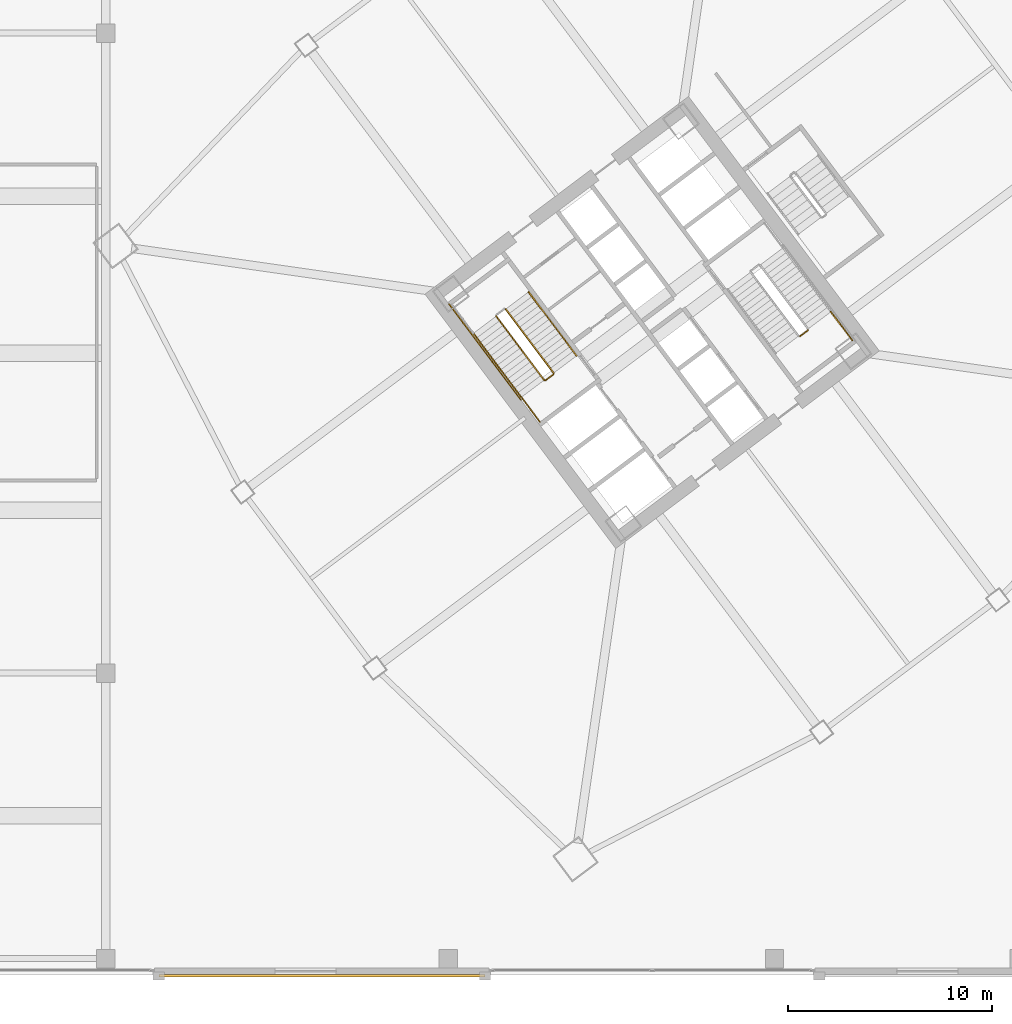
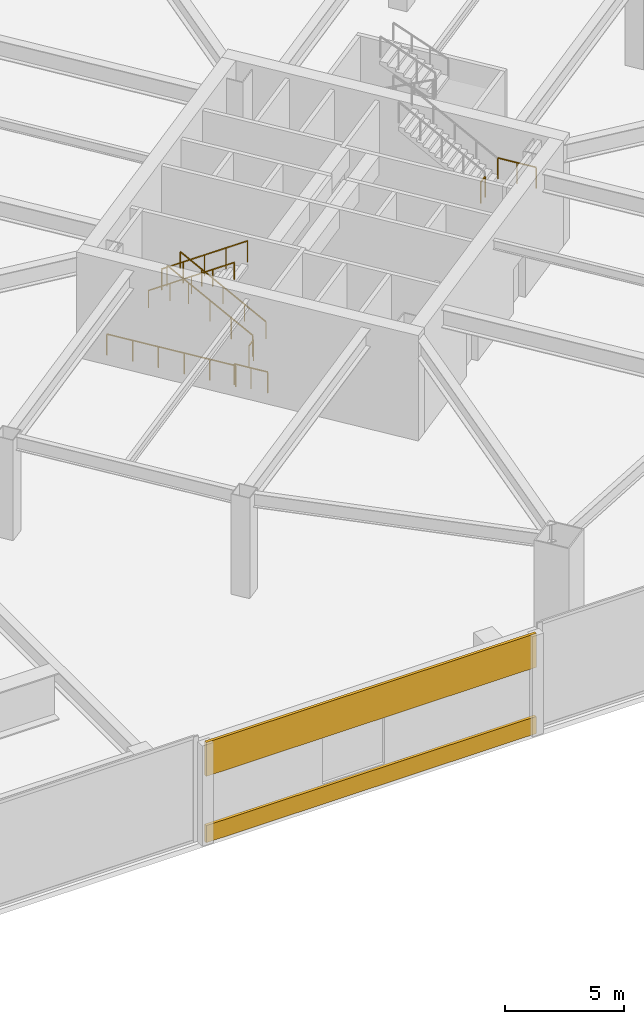
# One storey, part 45 of 48: 9 railings, 2 coverings.
"""IFC4 building model written with IfcOpenShell, lengths in metres."""

from ifc_helpers import new_model, si_unit, direction, frame, origin, origin_2d, place, context, subcontext, project, spatial, rectangle, extrude, material, layer, layer_set, type_object, element, save


model = new_model("IFC4")

# Units and contexts
model_context = context("Model", 3, precision=1e-05, world=origin(), true_north=direction((0.0, 1.0)))
body_context = subcontext(model_context, "Body", "Model", "MODEL_VIEW")
ifc_project = project(units=[si_unit("LENGTHUNIT", "METRE"), si_unit("AREAUNIT", "SQUARE_METRE"), si_unit("VOLUMEUNIT", "CUBIC_METRE"), si_unit("PLANEANGLEUNIT", "RADIAN"), si_unit("MASSUNIT", "GRAM", prefix="KILO")], contexts=[model_context])

# Site, building, storey
site_placement = place(None, origin())
site = spatial("IfcSite", under=ifc_project, at=site_placement, CompositionType="ELEMENT")
building_placement = place(site_placement, origin())
building = spatial("IfcBuilding", under=site, at=building_placement, Name="Tashvorn Skyway Center", CompositionType="ELEMENT")
storey_placement = place(building_placement, frame((0.0, 0.0, 10.199951171875)))
storey = spatial("IfcBuildingStorey", under=building, at=storey_placement, Name="L02", CompositionType="ELEMENT", Elevation=10.199951171875)

# Coverings
ifc_material_1 = material(Name="Precast concrete C40/50", Category="concrete")
ifc_layer = layer(ifc_material_1, 0.35009765625)
ifc_layer_set = layer_set([ifc_layer], Name="Precast concrete C40/50")
covering_type = type_object("IfcCoveringType", Name="COV-STONE-TRIM", PredefinedType="CLADDING", material=ifc_layer_set)
covering_1_placement = place(storey_placement, frame((97.800048828125, -0.0400390625, 0.0), z_axis=(0.0, 0.0, 1.0), x_axis=(1.0, 0.0, 0.0)))
element("IfcCovering", 1, at=covering_1_placement, inside=storey, type_object=covering_type, Name="L02 Limestone Sill Course S-M2", PredefinedType="CLADDING", context=body_context, shape_type="SweptSolid", body=[
    extrude(rectangle(XDim=16.0, YDim=0.139892578125, at=origin_2d()), origin(), (0.0, 0.0, 1.0), 0.8798828125),
])
covering_2_placement = place(storey_placement, frame((97.800048828125, -0.0400390625, 3.39990234375), z_axis=(0.0, 0.0, 1.0), x_axis=(1.0, 0.0, 0.0)))
element("IfcCovering", 2, at=covering_2_placement, inside=storey, type_object=covering_type, Name="L02 Limestone Spandrel Course S-M2", PredefinedType="CLADDING", context=body_context, shape_type="SweptSolid", body=[
    extrude(rectangle(XDim=16.0, YDim=0.139892578125, at=origin_2d()), origin(), (0.0, 0.0, 1.0), 1.739990234375),
])

# Railings
ifc_material_2 = material(Name="Brushed stainless steel 316", Category="steel")
railing_type_1 = type_object("IfcRailingType", Name="RAIL-HAND-920", PredefinedType="HANDRAIL", material=ifc_material_2)
railing_1_placement = place(storey_placement, frame((110.2880859375, 30.365966796875, 0.179931640625)))
element("IfcRailing", 3, at=railing_1_placement, inside=storey, type_object=railing_type_1, Name="L02 ST-T2-1 stair handrail 1", PredefinedType="HANDRAIL", context=body_context, shape_type="SweptSolid", body=[
    extrude(rectangle(XDim=0.048095703125, YDim=0.048095703125, at=origin_2d()), frame((0.0, 0.0, 0.8759765625), z_axis=(-0.504715058908, 0.672935948897, 0.54075865041), x_axis=(-0.799992526283, -0.600009964827, 0.0)), (0.0, 0.0, 1.0), 4.66015625),
    extrude(rectangle(XDim=0.0419921875, YDim=0.0419921875, at=origin_2d()), origin(), (0.0, 0.0, 1.0), 0.851806640625),
    extrude(rectangle(XDim=0.0419921875, YDim=0.0419921875, at=origin_2d()), frame((-0.587890625, 0.783935546875, 0.6298828125)), (0.0, 0.0, 1.0), 0.851806640625),
    extrude(rectangle(XDim=0.0419921875, YDim=0.0419921875, at=origin_2d()), frame((-1.176025390625, 1.56787109375, 1.260009765625)), (0.0, 0.0, 1.0), 0.851806640625),
    extrude(rectangle(XDim=0.0419921875, YDim=0.0419921875, at=origin_2d()), frame((-1.76416015625, 2.35205078125, 1.89013671875)), (0.0, 0.0, 1.0), 0.851806640625),
    extrude(rectangle(XDim=0.0419921875, YDim=0.0419921875, at=origin_2d()), frame((-2.35205078125, 3.135986328125, 2.52001953125)), (0.0, 0.0, 1.0), 0.851806640625),
])
railing_2_placement = place(storey_placement, frame((105.23193359375, 31.47412109375, 2.880126953125)))
element("IfcRailing", 4, at=railing_2_placement, inside=storey, type_object=railing_type_1, Name="L02 ST-T2-1 stair handrail 2", PredefinedType="HANDRAIL", context=body_context, shape_type="SweptSolid", body=[
    extrude(rectangle(XDim=0.048095703125, YDim=0.048095703125, at=origin_2d()), frame((0.0, 0.0, 0.8759765625), z_axis=(0.504697265729, -0.672964612368, 0.540739586553), x_axis=(0.800014946318, 0.599980071059, 0.0)), (0.0, 0.0, 1.0), 4.660400390625),
    extrude(rectangle(XDim=0.0419921875, YDim=0.0419921875, at=origin_2d()), origin(), (0.0, 0.0, 1.0), 0.851806640625),
    extrude(rectangle(XDim=0.0419921875, YDim=0.0419921875, at=origin_2d()), frame((0.587890625, -0.7841796875, 0.6298828125)), (0.0, 0.0, 1.0), 0.851806640625),
    extrude(rectangle(XDim=0.0419921875, YDim=0.0419921875, at=origin_2d()), frame((1.176025390625, -1.568115234375, 1.260009765625)), (0.0, 0.0, 1.0), 0.851806640625),
    extrude(rectangle(XDim=0.0419921875, YDim=0.0419921875, at=origin_2d()), frame((1.76416015625, -2.35205078125, 1.89013671875)), (0.0, 0.0, 1.0), 0.851806640625),
    extrude(rectangle(XDim=0.0419921875, YDim=0.0419921875, at=origin_2d()), frame((2.35205078125, -3.13623046875, 2.52001953125)), (0.0, 0.0, 1.0), 0.851806640625),
])
ifc_material_3 = material(Name="Painted galvanized steel S355", Category="steel")
railing_type_2 = type_object("IfcRailingType", Name="RAIL-STGUARD-1100", PredefinedType="GUARDRAIL", material=ifc_material_3)
railing_3_placement = place(storey_placement, frame((109.16796875, 29.52587890625, 0.179931640625)))
element("IfcRailing", 5, at=railing_3_placement, inside=storey, type_object=railing_type_2, Name="L02 ST-T2-1 stair guard 1", PredefinedType="GUARDRAIL", context=body_context, shape_type="SweptSolid", body=[
    extrude(rectangle(XDim=0.048095703125, YDim=0.048095703125, at=origin_2d()), frame((0.0, 0.0, 1.076171875), z_axis=(-0.504697265729, 0.672964612368, 0.540739586553), x_axis=(-0.800014946318, -0.599980071059, 0.0)), (0.0, 0.0, 1.0), 4.660400390625),
    extrude(rectangle(XDim=0.0419921875, YDim=0.0419921875, at=origin_2d()), origin(), (0.0, 0.0, 1.0), 1.052001953125),
    extrude(rectangle(XDim=0.0419921875, YDim=0.0419921875, at=origin_2d()), frame((-0.587890625, 0.7841796875, 0.6298828125)), (0.0, 0.0, 1.0), 1.052001953125),
    extrude(rectangle(XDim=0.0419921875, YDim=0.0419921875, at=origin_2d()), frame((-1.176025390625, 1.568115234375, 1.260009765625)), (0.0, 0.0, 1.0), 1.052001953125),
    extrude(rectangle(XDim=0.0419921875, YDim=0.0419921875, at=origin_2d()), frame((-1.76416015625, 2.35205078125, 1.89013671875)), (0.0, 0.0, 1.0), 1.052001953125),
    extrude(rectangle(XDim=0.0419921875, YDim=0.0419921875, at=origin_2d()), frame((-2.35205078125, 3.13623046875, 2.52001953125)), (0.0, 0.0, 1.0), 1.052001953125),
])
railing_4_placement = place(storey_placement, frame((106.35205078125, 32.31396484375, 2.880126953125)))
element("IfcRailing", 6, at=railing_4_placement, inside=storey, type_object=railing_type_2, Name="L02 ST-T2-1 stair guard 4", PredefinedType="GUARDRAIL", context=body_context, shape_type="SweptSolid", body=[
    extrude(rectangle(XDim=0.048095703125, YDim=0.048095703125, at=origin_2d()), frame((0.0, 0.0, 1.076171875), z_axis=(0.504715058908, -0.672935948897, 0.54075865041), x_axis=(0.799992526283, 0.600009964827, 0.0)), (0.0, 0.0, 1.0), 4.66015625),
    extrude(rectangle(XDim=0.0419921875, YDim=0.0419921875, at=origin_2d()), origin(), (0.0, 0.0, 1.0), 1.052001953125),
    extrude(rectangle(XDim=0.0419921875, YDim=0.0419921875, at=origin_2d()), frame((0.587890625, -0.783935546875, 0.6298828125)), (0.0, 0.0, 1.0), 1.052001953125),
    extrude(rectangle(XDim=0.0419921875, YDim=0.0419921875, at=origin_2d()), frame((1.176025390625, -1.56787109375, 1.260009765625)), (0.0, 0.0, 1.0), 1.052001953125),
    extrude(rectangle(XDim=0.0419921875, YDim=0.0419921875, at=origin_2d()), frame((1.76416015625, -2.35205078125, 1.89013671875)), (0.0, 0.0, 1.0), 1.052001953125),
    extrude(rectangle(XDim=0.0419921875, YDim=0.0419921875, at=origin_2d()), frame((2.35205078125, -3.135986328125, 2.52001953125)), (0.0, 0.0, 1.0), 1.052001953125),
])
railing_5_placement = place(storey_placement, frame((109.157958984375, 29.4560546875, 0.0)))
element("IfcRailing", 7, at=railing_5_placement, inside=storey, type_object=railing_type_2, Name="L02 ST-T2-1 stair guard 5", PredefinedType="GUARDRAIL", context=body_context, shape_type="SweptSolid", body=[
    extrude(rectangle(XDim=0.048095703125, YDim=0.048095703125, at=origin_2d()), frame((0.0, 0.0, 1.076171875), z_axis=(-0.799938970639, -0.600081363861, 0.0), x_axis=(0.600081363861, -0.799938970639, 0.0)), (0.0, 0.0, 1.0), 0.47998046875),
    extrude(rectangle(XDim=0.0419921875, YDim=0.0419921875, at=origin_2d()), origin(), (0.0, 0.0, 1.0), 1.052001953125),
    extrude(rectangle(XDim=0.0419921875, YDim=0.0419921875, at=origin_2d()), frame((-0.384033203125, -0.2880859375, 0.0)), (0.0, 0.0, 1.0), 1.052001953125),
])
railing_6_placement = place(storey_placement, frame((108.49609375, 27.1220703125, 0.0)))
element("IfcRailing", 8, at=railing_6_placement, inside=storey, type_object=railing_type_2, Name="L02 ST-T2-1 stair guard 6", PredefinedType="GUARDRAIL", context=body_context, shape_type="SweptSolid", body=[
    extrude(rectangle(XDim=0.048095703125, YDim=0.048095703125, at=origin_2d()), frame((0.0, 0.0, 1.076171875), z_axis=(-0.600102796382, 0.799922892393, 0.0), x_axis=(-0.799922892393, -0.600102796382, 0.0)), (0.0, 0.0, 1.0), 1.52001953125),
    extrude(rectangle(XDim=0.0419921875, YDim=0.0419921875, at=origin_2d()), origin(), (0.0, 0.0, 1.0), 1.052001953125),
    extrude(rectangle(XDim=0.0419921875, YDim=0.0419921875, at=origin_2d()), frame((-0.4560546875, 0.60791015625, 0.0)), (0.0, 0.0, 1.0), 1.052001953125),
    extrude(rectangle(XDim=0.0419921875, YDim=0.0419921875, at=origin_2d()), frame((-0.912109375, 1.2158203125, 0.0)), (0.0, 0.0, 1.0), 1.052001953125),
])
railing_7_placement = place(storey_placement, frame((107.56396484375, 28.197998046875, 0.0)))
element("IfcRailing", 9, at=railing_7_placement, inside=storey, type_object=railing_type_2, Name="L02 ST-T2-1 stair guard 7", PredefinedType="GUARDRAIL", context=body_context, shape_type="SweptSolid", body=[
    extrude(rectangle(XDim=0.048095703125, YDim=0.048095703125, at=origin_2d()), frame((0.0, 0.0, 1.076171875), z_axis=(-0.6, 0.8, 0.0), x_axis=(-0.8, -0.6, 0.0)), (0.0, 0.0, 1.0), 5.880126953125),
    extrude(rectangle(XDim=0.0419921875, YDim=0.0419921875, at=origin_2d()), origin(), (0.0, 0.0, 1.0), 1.052001953125),
    extrude(rectangle(XDim=0.0419921875, YDim=0.0419921875, at=origin_2d()), frame((-0.70556640625, 0.94091796875, 0.0)), (0.0, 0.0, 1.0), 1.052001953125),
    extrude(rectangle(XDim=0.0419921875, YDim=0.0419921875, at=origin_2d()), frame((-1.4111328125, 1.881591796875, 0.0)), (0.0, 0.0, 1.0), 1.052001953125),
    extrude(rectangle(XDim=0.0419921875, YDim=0.0419921875, at=origin_2d()), frame((-2.116943359375, 2.822509765625, 0.0)), (0.0, 0.0, 1.0), 1.052001953125),
    extrude(rectangle(XDim=0.0419921875, YDim=0.0419921875, at=origin_2d()), frame((-2.822509765625, 3.76318359375, 0.0)), (0.0, 0.0, 1.0), 1.052001953125),
    extrude(rectangle(XDim=0.0419921875, YDim=0.0419921875, at=origin_2d()), frame((-3.528076171875, 4.7041015625, 0.0)), (0.0, 0.0, 1.0), 1.052001953125),
])
railing_8_placement = place(storey_placement, frame((121.25390625, 31.327880859375, 2.699951171875)))
element("IfcRailing", 10, at=railing_8_placement, inside=storey, type_object=railing_type_2, Name="L02 ST-T2-2 stair guard 2", PredefinedType="GUARDRAIL", context=body_context, shape_type="SweptSolid", body=[
    extrude(rectangle(XDim=0.048095703125, YDim=0.048095703125, at=origin_2d()), frame((0.0, 0.0, 1.076171875), z_axis=(0.799938970639, 0.600081363861, 0.0), x_axis=(-0.600081363861, 0.799938970639, 0.0)), (0.0, 0.0, 1.0), 0.47998046875),
    extrude(rectangle(XDim=0.0419921875, YDim=0.0419921875, at=origin_2d()), origin(), (0.0, 0.0, 1.0), 1.052001953125),
    extrude(rectangle(XDim=0.0419921875, YDim=0.0419921875, at=origin_2d()), frame((0.384033203125, 0.2880859375, 0.0)), (0.0, 0.0, 1.0), 1.052001953125),
])
railing_9_placement = place(storey_placement, frame((122.76806640625, 32.52587890625, 2.699951171875)))
element("IfcRailing", 11, at=railing_9_placement, inside=storey, type_object=railing_type_2, Name="L02 ST-T2-2 stair guard 3", PredefinedType="GUARDRAIL", context=body_context, shape_type="SweptSolid", body=[
    extrude(rectangle(XDim=0.048095703125, YDim=0.048095703125, at=origin_2d()), frame((0.0, 0.0, 1.076171875), z_axis=(0.599977804058, -0.800016646475, 0.0), x_axis=(0.800016646475, 0.599977804058, 0.0)), (0.0, 0.0, 1.0), 1.760009765625),
    extrude(rectangle(XDim=0.0419921875, YDim=0.0419921875, at=origin_2d()), origin(), (0.0, 0.0, 1.0), 1.052001953125),
    extrude(rectangle(XDim=0.0419921875, YDim=0.0419921875, at=origin_2d()), frame((0.52783203125, -0.7041015625, 0.0)), (0.0, 0.0, 1.0), 1.052001953125),
    extrude(rectangle(XDim=0.0419921875, YDim=0.0419921875, at=origin_2d()), frame((1.055908203125, -1.407958984375, 0.0)), (0.0, 0.0, 1.0), 1.052001953125),
])

save(model, "model.ifc")
